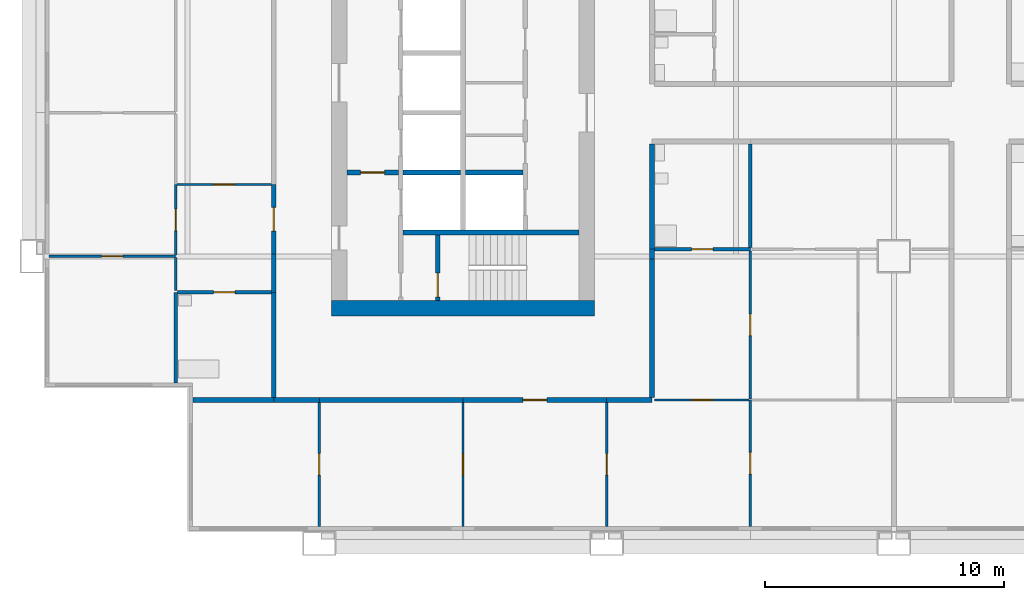
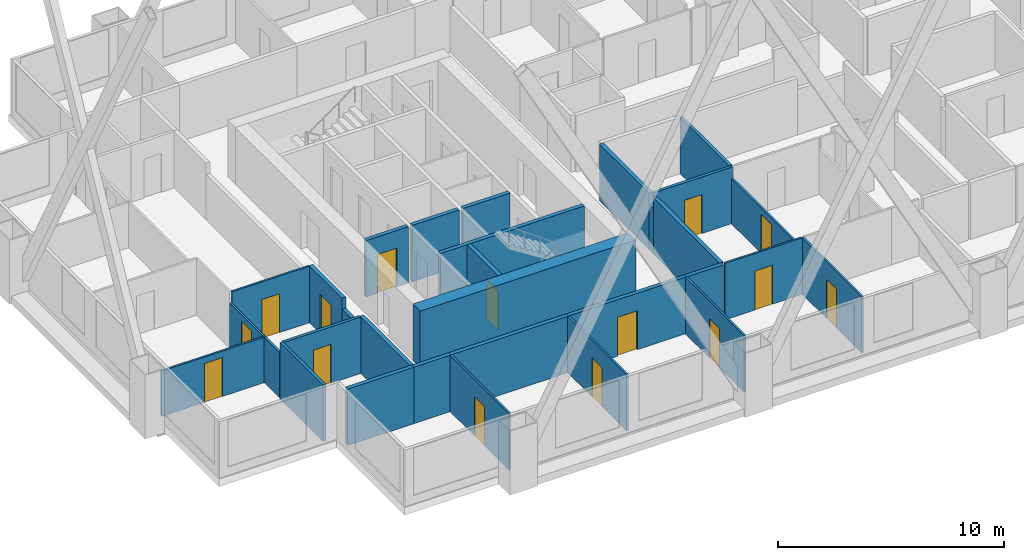
# One storey, part 2 of 11: 31 walls, 15 doors, 15 openings.
"""IFC4 building model written with IfcOpenShell, lengths in metres."""

from ifc_helpers import new_model, si_unit, direction, frame, frame_2d, origin, place, context, subcontext, project, spatial, rectangle, extrude, material, layer, layer_set, type_object, element, fill, save


model = new_model("IFC4")

# Units and contexts
model_context = context("Model", 3, precision=1e-05, world=origin(), true_north=direction((0.0, 1.0)))
body_context = subcontext(model_context, "Body", "Model", "MODEL_VIEW")
ifc_project = project(units=[si_unit("LENGTHUNIT", "METRE"), si_unit("AREAUNIT", "SQUARE_METRE"), si_unit("VOLUMEUNIT", "CUBIC_METRE"), si_unit("PLANEANGLEUNIT", "RADIAN"), si_unit("MASSUNIT", "GRAM", prefix="KILO")], contexts=[model_context])

# Site, building, storey
site_placement = place(None, origin())
site = spatial("IfcSite", under=ifc_project, at=site_placement, CompositionType="ELEMENT")
building_placement = place(site_placement, origin())
building = spatial("IfcBuilding", under=site, at=building_placement, Name="Kitamizu Gate Tower and Museum", CompositionType="ELEMENT")
storey_placement = place(building_placement, frame((0.0, 0.0, 131.10009765625)))
storey = spatial("IfcBuildingStorey", under=building, at=storey_placement, Name="L34", CompositionType="ELEMENT", Elevation=131.10009765625)

# Wall
ifc_material_1 = material(Name="Concrete Fc60", Category="concrete")
ifc_layer_1 = layer(ifc_material_1, 0.64990234375)
ifc_layer_set_1 = layer_set([ifc_layer_1], Name="Concrete Fc60")
wall_type_1 = type_object("IfcWallType", Name="Core wall 650", PredefinedType="SHEAR", material=ifc_layer_set_1)
wall_1_placement = place(storey_placement, frame((12.5, 21.824951171875, 0.0), z_axis=(0.0, 0.0, 1.0), x_axis=(1.0, 0.0, 0.0)))
element("IfcWall", 1, at=wall_1_placement, inside=storey, type_object=wall_type_1, Name="Core wall WS", PredefinedType="SHEAR", context=body_context, shape_type="SweptSolid", body=[
    extrude(rectangle(XDim=11.0, YDim=0.64990234375, at=frame_2d((5.5, 0.0))), origin(), (0.0, 0.0, 1.0), 3.0498046875),
])

# Wall, opening, door
ifc_material_2 = material(Name="Gypsum board on galvanised stud")
ifc_layer_2 = layer(ifc_material_2, 0.10009765625)
ifc_layer_set_2 = layer_set([ifc_layer_2], Name="Gypsum board on galvanised stud")
wall_type_2 = type_object("IfcWallType", Name="Partition 100 NOT RATED", PredefinedType="PARTITIONING", material=ifc_layer_set_2)
wall_2_placement = place(storey_placement, frame((12.0, 12.719970703125, 0.0), z_axis=(0.0, 0.0, 1.0), x_axis=(0.0, 1.0, 0.0)))
wall_2 = element("IfcWall", 2, at=wall_2_placement, inside=storey, type_object=wall_type_2, Name="Partition L34-001", PredefinedType="PARTITIONING", context=body_context, shape_type="SweptSolid", body=[
    extrude(rectangle(XDim=5.179931640625, YDim=0.10009765625, at=frame_2d((2.58984375, 0.0))), origin(), (0.0, 0.0, 1.0), 3.0498046875),
])
opening_1_placement = place(wall_2_placement, frame((2.139892578125, 0.0, 0.0)))
opening_1 = element("IfcOpeningElement", 3, at=opening_1_placement, cuts=wall_2, Name="Opening L34-007", PredefinedType="OPENING", context=body_context, shape_type="SweptSolid", body=[
    extrude(rectangle(XDim=0.89990234375, YDim=2.10009765625, at=frame_2d((0.449951171875, 1.050048828125))), frame((0.0, 0.06005859375, 0.0), z_axis=(0.0, -1.0, 0.0), x_axis=(1.0, 0.0, 0.0)), (0.0, 0.0, 1.0), 0.1201171875),
])
ifc_material_3 = material(Name="Timber door set", Category="wood")
door_type_1 = type_object("IfcDoorType", Name="Room door 900", OperationType="NOTDEFINED", PredefinedType="DOOR", material=ifc_material_3)
door_1_placement = place(opening_1_placement, origin())
door_1 = element("IfcDoor", 4, at=door_1_placement, inside=storey, type_object=door_type_1, Name="Door L34-007", OperationType="SINGLE_SWING_RIGHT", OverallHeight=2.10009765625, OverallWidth=0.89990234375, PredefinedType="DOOR", context=body_context, shape_type="SweptSolid", body=[
    extrude(rectangle(XDim=0.89990234375, YDim=2.10009765625, at=frame_2d((0.449951171875, 1.050048828125))), frame((0.0, 0.02490234375, 0.0), z_axis=(0.0, -1.0, 0.0), x_axis=(1.0, 0.0, 0.0)), (0.0, 0.0, 1.0), 0.050048828125),
])
fill(opening_1, door_1)

wall_3_placement = place(storey_placement, frame((18.0, 12.719970703125, 0.0), z_axis=(0.0, 0.0, 1.0), x_axis=(0.0, 1.0, 0.0)))
wall_3 = element("IfcWall", 5, at=wall_3_placement, inside=storey, type_object=wall_type_2, Name="Partition L34-004", PredefinedType="PARTITIONING", context=body_context, shape_type="SweptSolid", body=[
    extrude(rectangle(XDim=5.179931640625, YDim=0.10009765625, at=frame_2d((2.58984375, 0.0))), origin(), (0.0, 0.0, 1.0), 3.0498046875),
])
opening_2_placement = place(wall_3_placement, frame((2.139892578125, 0.0, 0.0)))
opening_2 = element("IfcOpeningElement", 6, at=opening_2_placement, cuts=wall_3, Name="Opening L34-003", PredefinedType="OPENING", context=body_context, shape_type="SweptSolid", body=[
    extrude(rectangle(XDim=0.89990234375, YDim=2.10009765625, at=frame_2d((0.449951171875, 1.050048828125))), frame((0.0, 0.06005859375, 0.0), z_axis=(0.0, -1.0, 0.0), x_axis=(1.0, 0.0, 0.0)), (0.0, 0.0, 1.0), 0.1201171875),
])
door_2_placement = place(opening_2_placement, origin())
door_2 = element("IfcDoor", 7, at=door_2_placement, inside=storey, type_object=door_type_1, Name="Door L34-003", OperationType="SINGLE_SWING_RIGHT", OverallHeight=2.10009765625, OverallWidth=0.89990234375, PredefinedType="DOOR", context=body_context, shape_type="SweptSolid", body=[
    extrude(rectangle(XDim=0.89990234375, YDim=2.10009765625, at=frame_2d((0.449951171875, 1.050048828125))), frame((0.0, 0.02490234375, 0.0), z_axis=(0.0, -1.0, 0.0), x_axis=(1.0, 0.0, 0.0)), (0.0, 0.0, 1.0), 0.050048828125),
])
fill(opening_2, door_2)

wall_4_placement = place(storey_placement, frame((24.0, 12.719970703125, 0.0), z_axis=(0.0, 0.0, 1.0), x_axis=(0.0, 1.0, 0.0)))
wall_4 = element("IfcWall", 8, at=wall_4_placement, inside=storey, type_object=wall_type_2, Name="Partition L34-006", PredefinedType="PARTITIONING", context=body_context, shape_type="SweptSolid", body=[
    extrude(rectangle(XDim=5.179931640625, YDim=0.10009765625, at=frame_2d((2.58984375, 0.0))), origin(), (0.0, 0.0, 1.0), 3.0498046875),
])
opening_3_placement = place(wall_4_placement, frame((2.139892578125, 0.0, 0.0)))
opening_3 = element("IfcOpeningElement", 9, at=opening_3_placement, cuts=wall_4, Name="Opening L34-002", PredefinedType="OPENING", context=body_context, shape_type="SweptSolid", body=[
    extrude(rectangle(XDim=0.89990234375, YDim=2.10009765625, at=frame_2d((0.449951171875, 1.050048828125))), frame((0.0, 0.06005859375, 0.0), z_axis=(0.0, -1.0, 0.0), x_axis=(1.0, 0.0, 0.0)), (0.0, 0.0, 1.0), 0.1201171875),
])
door_3_placement = place(opening_3_placement, frame((0.89990234375, 0.0, 0.0), x_axis=(-1.0, 0.0, 0.0)))
door_3 = element("IfcDoor", 10, at=door_3_placement, inside=storey, type_object=door_type_1, Name="Door L34-002", OperationType="SINGLE_SWING_RIGHT", OverallHeight=2.10009765625, OverallWidth=0.89990234375, PredefinedType="DOOR", context=body_context, shape_type="SweptSolid", body=[
    extrude(rectangle(XDim=0.89990234375, YDim=2.10009765625, at=frame_2d((0.449951171875, 1.050048828125))), frame((0.0, 0.02490234375, 0.0), z_axis=(0.0, -1.0, 0.0), x_axis=(1.0, 0.0, 0.0)), (0.0, 0.0, 1.0), 0.050048828125),
])
fill(opening_3, door_3)

wall_5_placement = place(storey_placement, frame((30.0, 12.719970703125, 0.0), z_axis=(0.0, 0.0, 1.0), x_axis=(0.0, 1.0, 0.0)))
wall_5 = element("IfcWall", 11, at=wall_5_placement, inside=storey, type_object=wall_type_2, Name="Partition L34-008", PredefinedType="PARTITIONING", context=body_context, shape_type="SweptSolid", body=[
    extrude(rectangle(XDim=5.280029296875, YDim=0.10009765625, at=frame_2d((2.64013671875, 0.0))), origin(), (0.0, 0.0, 1.0), 3.0498046875),
])
opening_4_placement = place(wall_5_placement, frame((2.18994140625, 0.0, 0.0)))
opening_4 = element("IfcOpeningElement", 12, at=opening_4_placement, cuts=wall_5, Name="Opening L34-004", PredefinedType="OPENING", context=body_context, shape_type="SweptSolid", body=[
    extrude(rectangle(XDim=0.89990234375, YDim=2.10009765625, at=frame_2d((0.449951171875, 1.050048828125))), frame((0.0, 0.06005859375, 0.0), z_axis=(0.0, -1.0, 0.0), x_axis=(1.0, 0.0, 0.0)), (0.0, 0.0, 1.0), 0.1201171875),
])
door_4_placement = place(opening_4_placement, origin())
door_4 = element("IfcDoor", 13, at=door_4_placement, inside=storey, type_object=door_type_1, Name="Door L34-004", OperationType="SINGLE_SWING_LEFT", OverallHeight=2.10009765625, OverallWidth=0.89990234375, PredefinedType="DOOR", context=body_context, shape_type="SweptSolid", body=[
    extrude(rectangle(XDim=0.89990234375, YDim=2.10009765625, at=frame_2d((0.449951171875, 1.050048828125))), frame((0.0, 0.02490234375, 0.0), z_axis=(0.0, -1.0, 0.0), x_axis=(1.0, 0.0, 0.0)), (0.0, 0.0, 1.0), 0.050048828125),
])
fill(opening_4, door_4)

wall_6_placement = place(storey_placement, frame((29.949951171875, 18.0, 0.0), z_axis=(0.0, 0.0, 1.0), x_axis=(-1.0, 0.0, 0.0)))
wall_6 = element("IfcWall", 14, at=wall_6_placement, inside=storey, type_object=wall_type_2, Name="Partition L34-009", PredefinedType="PARTITIONING", context=body_context, shape_type="SweptSolid", body=[
    extrude(rectangle(XDim=3.949951171875, YDim=0.10009765625, at=frame_2d((1.97509765625, 0.0))), origin(), (0.0, 0.0, 1.0), 3.0498046875),
])
opening_5_placement = place(wall_6_placement, frame((1.52490234375, 0.0, 0.0)))
opening_5 = element("IfcOpeningElement", 15, at=opening_5_placement, cuts=wall_6, Name="Opening L34-005", PredefinedType="OPENING", context=body_context, shape_type="SweptSolid", body=[
    extrude(rectangle(XDim=0.89990234375, YDim=2.10009765625, at=frame_2d((0.449951171875, 1.050048828125))), frame((0.0, 0.06005859375, 0.0), z_axis=(0.0, -1.0, 0.0), x_axis=(1.0, 0.0, 0.0)), (0.0, 0.0, 1.0), 0.1201171875),
])
door_5_placement = place(opening_5_placement, frame((0.89990234375, 0.0, 0.0), x_axis=(-1.0, 0.0, 0.0)))
door_5 = element("IfcDoor", 16, at=door_5_placement, inside=storey, type_object=door_type_1, Name="Door L34-005", OperationType="SINGLE_SWING_LEFT", OverallHeight=2.10009765625, OverallWidth=0.89990234375, PredefinedType="DOOR", context=body_context, shape_type="SweptSolid", body=[
    extrude(rectangle(XDim=0.89990234375, YDim=2.10009765625, at=frame_2d((0.449951171875, 1.050048828125))), frame((0.0, 0.02490234375, 0.0), z_axis=(0.0, -1.0, 0.0), x_axis=(1.0, 0.0, 0.0)), (0.0, 0.0, 1.0), 0.050048828125),
])
fill(opening_5, door_5)

wall_7_placement = place(storey_placement, frame((30.0, 18.050048828125, 0.0), z_axis=(0.0, 0.0, 1.0), x_axis=(0.0, 1.0, 0.0)))
wall_7 = element("IfcWall", 17, at=wall_7_placement, inside=storey, type_object=wall_type_2, Name="Partition L34-014", PredefinedType="PARTITIONING", context=body_context, shape_type="SweptSolid", body=[
    extrude(rectangle(XDim=6.175048828125, YDim=0.10009765625, at=frame_2d((3.08740234375, 0.0))), origin(), (0.0, 0.0, 1.0), 2.449951171875),
])
opening_6_placement = place(wall_7_placement, frame((2.637451171875, 0.0, 0.0)))
opening_6 = element("IfcOpeningElement", 18, at=opening_6_placement, cuts=wall_7, Name="Opening L34-008", PredefinedType="OPENING", context=body_context, shape_type="SweptSolid", body=[
    extrude(rectangle(XDim=0.89990234375, YDim=2.10009765625, at=frame_2d((0.449951171875, 1.050048828125))), frame((0.0, 0.06005859375, 0.0), z_axis=(0.0, -1.0, 0.0), x_axis=(1.0, 0.0, 0.0)), (0.0, 0.0, 1.0), 0.1201171875),
])
door_6_placement = place(opening_6_placement, origin())
door_6 = element("IfcDoor", 19, at=door_6_placement, inside=storey, type_object=door_type_1, Name="Door L34-008", OperationType="SINGLE_SWING_LEFT", OverallHeight=2.10009765625, OverallWidth=0.89990234375, PredefinedType="DOOR", context=body_context, shape_type="SweptSolid", body=[
    extrude(rectangle(XDim=0.89990234375, YDim=2.10009765625, at=frame_2d((0.449951171875, 1.050048828125))), frame((0.0, 0.02490234375, 0.0), z_axis=(0.0, -1.0, 0.0), x_axis=(1.0, 0.0, 0.0)), (0.0, 0.0, 1.0), 0.050048828125),
])
fill(opening_6, door_6)

wall_8_placement = place(storey_placement, frame((6.0, 24.0, 0.0), z_axis=(0.0, 0.0, 1.0), x_axis=(-1.0, 0.0, 0.0)))
wall_8 = element("IfcWall", 20, at=wall_8_placement, inside=storey, type_object=wall_type_2, Name="Partition L34-085", PredefinedType="PARTITIONING", context=body_context, shape_type="SweptSolid", body=[
    extrude(rectangle(XDim=5.280029296875, YDim=0.10009765625, at=frame_2d((2.64013671875, 0.0))), origin(), (0.0, 0.0, 1.0), 2.449951171875),
])
opening_7_placement = place(wall_8_placement, frame((2.18994140625, 0.0, 0.0)))
opening_7 = element("IfcOpeningElement", 21, at=opening_7_placement, cuts=wall_8, Name="Opening L34-034", PredefinedType="OPENING", context=body_context, shape_type="SweptSolid", body=[
    extrude(rectangle(XDim=0.89990234375, YDim=2.10009765625, at=frame_2d((0.449951171875, 1.050048828125))), frame((0.0, 0.06005859375, 0.0), z_axis=(0.0, -1.0, 0.0), x_axis=(1.0, 0.0, 0.0)), (0.0, 0.0, 1.0), 0.1201171875),
])
door_7_placement = place(opening_7_placement, origin())
door_7 = element("IfcDoor", 22, at=door_7_placement, inside=storey, type_object=door_type_1, Name="Door L34-034", OperationType="SINGLE_SWING_RIGHT", OverallHeight=2.10009765625, OverallWidth=0.89990234375, PredefinedType="DOOR", context=body_context, shape_type="SweptSolid", body=[
    extrude(rectangle(XDim=0.89990234375, YDim=2.10009765625, at=frame_2d((0.449951171875, 1.050048828125))), frame((0.0, 0.02490234375, 0.0), z_axis=(0.0, -1.0, 0.0), x_axis=(1.0, 0.0, 0.0)), (0.0, 0.0, 1.0), 0.050048828125),
])
fill(opening_7, door_7)

# Wall
wall_9_placement = place(storey_placement, frame((6.0, 22.574951171875, 0.0), z_axis=(0.0, 0.0, 1.0), x_axis=(0.0, 1.0, 0.0)))
element("IfcWall", 23, at=wall_9_placement, inside=storey, type_object=wall_type_2, Name="Partition L34-087", PredefinedType="PARTITIONING", context=body_context, shape_type="SweptSolid", body=[
    extrude(rectangle(XDim=1.375, YDim=0.10009765625, at=frame_2d((0.6875, 0.0))), origin(), (0.0, 0.0, 1.0), 2.449951171875),
])

# Wall, opening, door
wall_10_placement = place(storey_placement, frame((6.0, 24.050048828125, 0.0), z_axis=(0.0, 0.0, 1.0), x_axis=(0.0, 1.0, 0.0)))
wall_10 = element("IfcWall", 24, at=wall_10_placement, inside=storey, type_object=wall_type_2, Name="Partition L34-089", PredefinedType="PARTITIONING", context=body_context, shape_type="SweptSolid", body=[
    extrude(rectangle(XDim=2.949951171875, YDim=0.10009765625, at=frame_2d((1.47509765625, 0.0))), origin(), (0.0, 0.0, 1.0), 2.449951171875),
])
opening_8_placement = place(wall_10_placement, frame((1.02490234375, 0.0, 0.0)))
opening_8 = element("IfcOpeningElement", 25, at=opening_8_placement, cuts=wall_10, Name="Opening L34-030", PredefinedType="OPENING", context=body_context, shape_type="SweptSolid", body=[
    extrude(rectangle(XDim=0.89990234375, YDim=2.10009765625, at=frame_2d((0.449951171875, 1.050048828125))), frame((0.0, 0.06005859375, 0.0), z_axis=(0.0, -1.0, 0.0), x_axis=(1.0, 0.0, 0.0)), (0.0, 0.0, 1.0), 0.1201171875),
])
door_8_placement = place(opening_8_placement, origin())
door_8 = element("IfcDoor", 26, at=door_8_placement, inside=storey, type_object=door_type_1, Name="Door L34-030", OperationType="SINGLE_SWING_RIGHT", OverallHeight=2.10009765625, OverallWidth=0.89990234375, PredefinedType="DOOR", context=body_context, shape_type="SweptSolid", body=[
    extrude(rectangle(XDim=0.89990234375, YDim=2.10009765625, at=frame_2d((0.449951171875, 1.050048828125))), frame((0.0, 0.02490234375, 0.0), z_axis=(0.0, -1.0, 0.0), x_axis=(1.0, 0.0, 0.0)), (0.0, 0.0, 1.0), 0.050048828125),
])
fill(opening_8, door_8)

wall_11_placement = place(storey_placement, frame((10.0, 27.0, 0.0), z_axis=(0.0, 0.0, 1.0), x_axis=(-1.0, 0.0, 0.0)))
wall_11 = element("IfcWall", 27, at=wall_11_placement, inside=storey, type_object=wall_type_2, Name="Partition L34-097", PredefinedType="PARTITIONING", context=body_context, shape_type="SweptSolid", body=[
    extrude(rectangle(XDim=3.949951171875, YDim=0.10009765625, at=frame_2d((1.97509765625, 0.0))), origin(), (0.0, 0.0, 1.0), 3.0498046875),
])
opening_9_placement = place(wall_11_placement, frame((1.52490234375, 0.0, 0.0)))
opening_9 = element("IfcOpeningElement", 28, at=opening_9_placement, cuts=wall_11, Name="Opening L34-031", PredefinedType="OPENING", context=body_context, shape_type="SweptSolid", body=[
    extrude(rectangle(XDim=0.89990234375, YDim=2.10009765625, at=frame_2d((0.449951171875, 1.050048828125))), frame((0.0, 0.06005859375, 0.0), z_axis=(0.0, -1.0, 0.0), x_axis=(1.0, 0.0, 0.0)), (0.0, 0.0, 1.0), 0.1201171875),
])
door_9_placement = place(opening_9_placement, origin())
door_9 = element("IfcDoor", 29, at=door_9_placement, inside=storey, type_object=door_type_1, Name="Door L34-031", OperationType="SINGLE_SWING_RIGHT", OverallHeight=2.10009765625, OverallWidth=0.89990234375, PredefinedType="DOOR", context=body_context, shape_type="SweptSolid", body=[
    extrude(rectangle(XDim=0.89990234375, YDim=2.10009765625, at=frame_2d((0.449951171875, 1.050048828125))), frame((0.0, 0.02490234375, 0.0), z_axis=(0.0, -1.0, 0.0), x_axis=(1.0, 0.0, 0.0)), (0.0, 0.0, 1.0), 0.050048828125),
])
fill(opening_9, door_9)

ifc_material_4 = material(Name="Gypsum board on galvanised stud")
ifc_layer_3 = layer(ifc_material_4, 0.14990234375)
ifc_layer_set_3 = layer_set([ifc_layer_3], Name="Gypsum board on galvanised stud")
wall_type_3 = type_object("IfcWallType", Name="Partition 150", PredefinedType="PARTITIONING", material=ifc_layer_set_3)
wall_12_placement = place(storey_placement, frame((30.0, 24.300048828125, 0.0), z_axis=(0.0, 0.0, 1.0), x_axis=(-1.0, 0.0, 0.0)))
wall_12 = element("IfcWall", 30, at=wall_12_placement, inside=storey, type_object=wall_type_3, Name="Partition L34-015", PredefinedType="PARTITIONING", context=body_context, shape_type="SweptSolid", body=[
    extrude(rectangle(XDim=4.0, YDim=0.14990234375, at=frame_2d((2.0, 0.0))), origin(), (0.0, 0.0, 1.0), 3.0498046875),
])
opening_10_placement = place(wall_12_placement, frame((1.550048828125, 0.0, 0.0)))
opening_10 = element("IfcOpeningElement", 31, at=opening_10_placement, cuts=wall_12, Name="Opening L34-006", PredefinedType="OPENING", context=body_context, shape_type="SweptSolid", body=[
    extrude(rectangle(XDim=0.89990234375, YDim=2.10009765625, at=frame_2d((0.449951171875, 1.050048828125))), frame((0.0, 0.0849609375, 0.0), z_axis=(0.0, -1.0, 0.0), x_axis=(1.0, 0.0, 0.0)), (0.0, 0.0, 1.0), 0.169921875),
])
ifc_material_5 = material(Name="Timber door set", Category="wood")
door_type_2 = type_object("IfcDoorType", Name="Bathroom door 900", OperationType="NOTDEFINED", PredefinedType="DOOR", material=ifc_material_5)
door_10_placement = place(opening_10_placement, frame((0.89990234375, 0.0, 0.0), x_axis=(-1.0, 0.0, 0.0)))
door_10 = element("IfcDoor", 32, at=door_10_placement, inside=storey, type_object=door_type_2, Name="Bathroom door L34-006", OperationType="SINGLE_SWING_RIGHT", OverallHeight=2.10009765625, OverallWidth=0.89990234375, PredefinedType="DOOR", context=body_context, shape_type="SweptSolid", body=[
    extrude(rectangle(XDim=0.89990234375, YDim=2.10009765625, at=frame_2d((0.449951171875, 1.050048828125))), frame((0.0, 0.02490234375, 0.0), z_axis=(0.0, -1.0, 0.0), x_axis=(1.0, 0.0, 0.0)), (0.0, 0.0, 1.0), 0.050048828125),
])
fill(opening_10, door_10)

# Walls
wall_13_placement = place(storey_placement, frame((30.0, 24.375, 0.0), z_axis=(0.0, 0.0, 1.0), x_axis=(0.0, 1.0, 0.0)))
element("IfcWall", 33, at=wall_13_placement, inside=storey, type_object=wall_type_3, Name="Partition L34-024", PredefinedType="PARTITIONING", context=body_context, shape_type="SweptSolid", body=[
    extrude(rectangle(XDim=4.324951171875, YDim=0.14990234375, at=frame_2d((2.16259765625, 0.0))), origin(), (0.0, 0.0, 1.0), 3.0498046875),
])
wall_14_placement = place(storey_placement, frame((6.0, 18.719970703125, 0.0), z_axis=(0.0, 0.0, 1.0), x_axis=(0.0, 1.0, 0.0)))
element("IfcWall", 34, at=wall_14_placement, inside=storey, type_object=wall_type_3, Name="Partition L34-086", PredefinedType="PARTITIONING", context=body_context, shape_type="SweptSolid", body=[
    extrude(rectangle(XDim=3.780029296875, YDim=0.14990234375, at=frame_2d((1.89013671875, 0.0))), origin(), (0.0, 0.0, 1.0), 3.0498046875),
])

# Wall, opening, door
wall_15_placement = place(storey_placement, frame((10.0, 22.5, 0.0), z_axis=(0.0, 0.0, 1.0), x_axis=(-1.0, 0.0, 0.0)))
wall_15 = element("IfcWall", 35, at=wall_15_placement, inside=storey, type_object=wall_type_3, Name="Partition L34-095", PredefinedType="PARTITIONING", context=body_context, shape_type="SweptSolid", body=[
    extrude(rectangle(XDim=3.925048828125, YDim=0.14990234375, at=frame_2d((1.96240234375, 0.0))), origin(), (0.0, 0.0, 1.0), 3.0498046875),
])
opening_11_placement = place(wall_15_placement, frame((1.512451171875, 0.0, 0.0)))
opening_11 = element("IfcOpeningElement", 36, at=opening_11_placement, cuts=wall_15, Name="Opening L34-035", PredefinedType="OPENING", context=body_context, shape_type="SweptSolid", body=[
    extrude(rectangle(XDim=0.89990234375, YDim=2.10009765625, at=frame_2d((0.449951171875, 1.050048828125))), frame((0.0, 0.0849609375, 0.0), z_axis=(0.0, -1.0, 0.0), x_axis=(1.0, 0.0, 0.0)), (0.0, 0.0, 1.0), 0.169921875),
])
door_11_placement = place(opening_11_placement, origin())
door_11 = element("IfcDoor", 37, at=door_11_placement, inside=storey, type_object=door_type_2, Name="Bathroom door L34-035", OperationType="SINGLE_SWING_LEFT", OverallHeight=2.10009765625, OverallWidth=0.89990234375, PredefinedType="DOOR", context=body_context, shape_type="SweptSolid", body=[
    extrude(rectangle(XDim=0.89990234375, YDim=2.10009765625, at=frame_2d((0.449951171875, 1.050048828125))), frame((0.0, 0.02490234375, 0.0), z_axis=(0.0, -1.0, 0.0), x_axis=(1.0, 0.0, 0.0)), (0.0, 0.0, 1.0), 0.050048828125),
])
fill(opening_11, door_11)

# Walls
ifc_material_6 = material(Name="Gypsum board on galvanised stud")
ifc_layer_4 = layer(ifc_material_6, 0.199951171875)
ifc_layer_set_4 = layer_set([ifc_layer_4], Name="Gypsum board on galvanised stud")
wall_type_4 = type_object("IfcWallType", Name="Partition 200", PredefinedType="PARTITIONING", material=ifc_layer_set_4)
wall_16_placement = place(storey_placement, frame((10.10009765625, 18.0, 0.0), z_axis=(0.0, 0.0, 1.0), x_axis=(-1.0, 0.0, 0.0)))
element("IfcWall", 38, at=wall_16_placement, inside=storey, type_object=wall_type_4, Name="Partition L34-002", PredefinedType="PARTITIONING", context=body_context, shape_type="SweptSolid", body=[
    extrude(rectangle(XDim=3.380126953125, YDim=0.199951171875, at=frame_2d((1.68994140625, 0.0))), origin(), (0.0, 0.0, 1.0), 3.0498046875),
])
wall_17_placement = place(storey_placement, frame((12.0, 18.0, 0.0), z_axis=(0.0, 0.0, 1.0), x_axis=(-1.0, 0.0, 0.0)))
element("IfcWall", 39, at=wall_17_placement, inside=storey, type_object=wall_type_4, Name="Partition L34-003", PredefinedType="PARTITIONING", context=body_context, shape_type="SweptSolid", body=[
    extrude(rectangle(XDim=1.89990234375, YDim=0.199951171875, at=frame_2d((0.949951171875, 0.0))), origin(), (0.0, 0.0, 1.0), 3.0498046875),
])
wall_18_placement = place(storey_placement, frame((18.0, 18.0, 0.0), z_axis=(0.0, 0.0, 1.0), x_axis=(-1.0, 0.0, 0.0)))
element("IfcWall", 40, at=wall_18_placement, inside=storey, type_object=wall_type_4, Name="Partition L34-005", PredefinedType="PARTITIONING", context=body_context, shape_type="SweptSolid", body=[
    extrude(rectangle(XDim=6.0, YDim=0.199951171875, at=frame_2d((3.0, 0.0))), origin(), (0.0, 0.0, 1.0), 3.0498046875),
])

# Wall, opening, door
wall_19_placement = place(storey_placement, frame((24.0, 18.0, 0.0), z_axis=(0.0, 0.0, 1.0), x_axis=(-1.0, 0.0, 0.0)))
wall_19 = element("IfcWall", 41, at=wall_19_placement, inside=storey, type_object=wall_type_4, Name="Partition L34-007", PredefinedType="PARTITIONING", context=body_context, shape_type="SweptSolid", body=[
    extrude(rectangle(XDim=6.0, YDim=0.199951171875, at=frame_2d((3.0, 0.0))), origin(), (0.0, 0.0, 1.0), 3.0498046875),
])
opening_12_placement = place(wall_19_placement, frame((2.5, 0.0, 0.0)))
opening_12 = element("IfcOpeningElement", 42, at=opening_12_placement, cuts=wall_19, Name="Opening L34-001", PredefinedType="OPENING", context=body_context, shape_type="SweptSolid", body=[
    extrude(rectangle(XDim=1.0, YDim=2.10009765625, at=frame_2d((0.5, 1.050048828125))), frame((0.0, 0.10986328125, 0.0), z_axis=(0.0, -1.0, 0.0), x_axis=(1.0, 0.0, 0.0)), (0.0, 0.0, 1.0), 0.219970703125),
])
ifc_material_7 = material(Name="Timber door set", Category="wood")
door_type_3 = type_object("IfcDoorType", Name="Flat entrance door 1000", OperationType="NOTDEFINED", PredefinedType="DOOR", material=ifc_material_7)
door_12_placement = place(opening_12_placement, origin())
door_12 = element("IfcDoor", 43, at=door_12_placement, inside=storey, type_object=door_type_3, Name="Flat entrance door L34-001", OperationType="SINGLE_SWING_RIGHT", OverallHeight=2.10009765625, OverallWidth=1.0, PredefinedType="DOOR", context=body_context, shape_type="SweptSolid", body=[
    extrude(rectangle(XDim=1.0, YDim=2.10009765625, at=frame_2d((0.5, 1.050048828125))), frame((0.0, 0.02490234375, 0.0), z_axis=(0.0, -1.0, 0.0), x_axis=(1.0, 0.0, 0.0)), (0.0, 0.0, 1.0), 0.050048828125),
])
fill(opening_12, door_12)

# Walls
wall_20_placement = place(storey_placement, frame((25.89990234375, 18.0, 0.0), z_axis=(0.0, 0.0, 1.0), x_axis=(-1.0, 0.0, 0.0)))
element("IfcWall", 44, at=wall_20_placement, inside=storey, type_object=wall_type_4, Name="Partition L34-010", PredefinedType="PARTITIONING", context=body_context, shape_type="SweptSolid", body=[
    extrude(rectangle(XDim=1.89990234375, YDim=0.199951171875, at=frame_2d((0.949951171875, 0.0))), origin(), (0.0, 0.0, 1.0), 3.0498046875),
])
wall_21_placement = place(storey_placement, frame((25.89990234375, 24.300048828125, 0.0), z_axis=(0.0, 0.0, 1.0), x_axis=(0.0, -1.0, 0.0)))
element("IfcWall", 45, at=wall_21_placement, inside=storey, type_object=wall_type_4, Name="Partition L34-016", PredefinedType="PARTITIONING", context=body_context, shape_type="SweptSolid", body=[
    extrude(rectangle(XDim=0.400146484375, YDim=0.199951171875, at=frame_2d((0.2001953125, 0.0))), origin(), (0.0, 0.0, 1.0), 2.449951171875),
])
wall_22_placement = place(storey_placement, frame((25.89990234375, 23.89990234375, 0.0), z_axis=(0.0, 0.0, 1.0), x_axis=(0.0, -1.0, 0.0)))
element("IfcWall", 46, at=wall_22_placement, inside=storey, type_object=wall_type_4, Name="Partition L34-017", PredefinedType="PARTITIONING", context=body_context, shape_type="SweptSolid", body=[
    extrude(rectangle(XDim=5.7998046875, YDim=0.199951171875, at=frame_2d((2.89990234375, 0.0))), origin(), (0.0, 0.0, 1.0), 3.0498046875),
])
for number, where, z_axis, x_axis, name in (
    (47, (25.89990234375, 28.699951171875, 0.0), (0.0, 0.0, 1.0), (0.0, -1.0, 0.0), "Partition L34-026"),
    (48, (10.10009765625, 18.10009765625, 0.0), (0.0, 0.0, 1.0), (0.0, 1.0, 0.0), "Partition L34-096"),
):
    element("IfcWall", number, at=place(storey_placement, frame(where, z_axis=z_axis, x_axis=x_axis)), inside=storey, type_object=wall_type_4, Name=name, PredefinedType="PARTITIONING", context=body_context, shape_type="SweptSolid", body=[
        extrude(rectangle(XDim=4.39990234375, YDim=0.199951171875, at=frame_2d((2.199951171875, 0.0))), origin(), (0.0, 0.0, 1.0), 3.0498046875),
    ])
wall_23_placement = place(storey_placement, frame((10.10009765625, 22.5, 0.0), z_axis=(0.0, 0.0, 1.0), x_axis=(0.0, 1.0, 0.0)))
element("IfcWall", 49, at=wall_23_placement, inside=storey, type_object=wall_type_4, Name="Partition L34-098", PredefinedType="PARTITIONING", context=body_context, shape_type="SweptSolid", body=[
    extrude(rectangle(XDim=1.60009765625, YDim=0.199951171875, at=frame_2d((0.800048828125, 0.0))), origin(), (0.0, 0.0, 1.0), 2.449951171875),
])

# Wall, opening, door
wall_24_placement = place(storey_placement, frame((10.10009765625, 24.10009765625, 0.0), z_axis=(0.0, 0.0, 1.0), x_axis=(0.0, 1.0, 0.0)))
wall_24 = element("IfcWall", 50, at=wall_24_placement, inside=storey, type_object=wall_type_4, Name="Partition L34-099", PredefinedType="PARTITIONING", context=body_context, shape_type="SweptSolid", body=[
    extrude(rectangle(XDim=2.89990234375, YDim=0.199951171875, at=frame_2d((1.449951171875, 0.0))), origin(), (0.0, 0.0, 1.0), 3.0498046875),
])
opening_13_placement = place(wall_24_placement, frame((0.949951171875, 0.0, 0.0)))
opening_13 = element("IfcOpeningElement", 51, at=opening_13_placement, cuts=wall_24, Name="Opening L34-029", PredefinedType="OPENING", context=body_context, shape_type="SweptSolid", body=[
    extrude(rectangle(XDim=1.0, YDim=2.10009765625, at=frame_2d((0.5, 1.050048828125))), frame((0.0, 0.10986328125, 0.0), z_axis=(0.0, -1.0, 0.0), x_axis=(1.0, 0.0, 0.0)), (0.0, 0.0, 1.0), 0.219970703125),
])
door_13_placement = place(opening_13_placement, origin())
door_13 = element("IfcDoor", 52, at=door_13_placement, inside=storey, type_object=door_type_3, Name="Flat entrance door L34-029", OperationType="SINGLE_SWING_LEFT", OverallHeight=2.10009765625, OverallWidth=1.0, PredefinedType="DOOR", context=body_context, shape_type="SweptSolid", body=[
    extrude(rectangle(XDim=1.0, YDim=2.10009765625, at=frame_2d((0.5, 1.050048828125))), frame((0.0, 0.02490234375, 0.0), z_axis=(0.0, -1.0, 0.0), x_axis=(1.0, 0.0, 0.0)), (0.0, 0.0, 1.0), 0.050048828125),
])
fill(opening_13, door_13)

# Wall
ifc_material_8 = material(Name="Concrete Fc42", Category="concrete")
ifc_layer_5 = layer(ifc_material_8, 0.199951171875)
ifc_layer_set_5 = layer_set([ifc_layer_5], Name="Concrete Fc42")
wall_type_5 = type_object("IfcWallType", Name="Shaft wall 200", PredefinedType="SOLIDWALL", material=ifc_layer_set_5)
wall_25_placement = place(storey_placement, frame((15.5, 25.0, 0.0), z_axis=(0.0, 0.0, 1.0), x_axis=(1.0, 0.0, 0.0)))
element("IfcWall", 53, at=wall_25_placement, inside=storey, type_object=wall_type_5, Name="Shaft wall WSB", PredefinedType="SOLIDWALL", context=body_context, shape_type="SweptSolid", body=[
    extrude(rectangle(XDim=7.35009765625, YDim=0.199951171875, at=frame_2d((3.675048828125, 0.0))), origin(), (0.0, 0.0, 1.0), 3.0498046875),
])

# Wall, opening, door
wall_26_placement = place(storey_placement, frame((13.14990234375, 27.5, 0.0), z_axis=(0.0, 0.0, 1.0), x_axis=(1.0, 0.0, 0.0)))
wall_26 = element("IfcWall", 54, at=wall_26_placement, inside=storey, type_object=wall_type_5, Name="Shaft wall WFFN", PredefinedType="SOLIDWALL", context=body_context, shape_type="SweptSolid", body=[
    extrude(rectangle(XDim=2.150146484375, YDim=0.199951171875, at=frame_2d((1.0751953125, 0.0))), origin(), (0.0, 0.0, 1.0), 3.0498046875),
])
opening_14_placement = place(wall_26_placement, frame((0.574951171875, 0.0, 0.0)))
opening_14 = element("IfcOpeningElement", 55, at=opening_14_placement, cuts=wall_26, Name="Opening L34-056", PredefinedType="OPENING", context=body_context, shape_type="SweptSolid", body=[
    extrude(rectangle(XDim=1.0, YDim=2.10009765625, at=frame_2d((0.5, 1.050048828125))), frame((0.0, 0.10986328125, 0.0), z_axis=(0.0, -1.0, 0.0), x_axis=(1.0, 0.0, 0.0)), (0.0, 0.0, 1.0), 0.219970703125),
])
ifc_material_9 = material(Name="Hollow metal door set")
door_type_4 = type_object("IfcDoorType", Name="Fire door 1000", OperationType="NOTDEFINED", PredefinedType="DOOR", material=ifc_material_9)
door_14_placement = place(opening_14_placement, frame((1.0, 0.0, 0.0), x_axis=(-1.0, 0.0, 0.0)))
door_14 = element("IfcDoor", 56, at=door_14_placement, inside=storey, type_object=door_type_4, Name="Fire-fighting lobby door L34-056", OperationType="SINGLE_SWING_LEFT", OverallHeight=2.10009765625, OverallWidth=1.0, PredefinedType="DOOR", context=body_context, shape_type="SweptSolid", body=[
    extrude(rectangle(XDim=1.0, YDim=2.10009765625, at=frame_2d((0.5, 1.050048828125))), frame((0.0, 0.02490234375, 0.0), z_axis=(0.0, -1.0, 0.0), x_axis=(1.0, 0.0, 0.0)), (0.0, 0.0, 1.0), 0.050048828125),
])
fill(opening_14, door_14)

wall_27_placement = place(storey_placement, frame((16.949951171875, 22.14990234375, 0.0), z_axis=(0.0, 0.0, 1.0), x_axis=(0.0, 1.0, 0.0)))
wall_27 = element("IfcWall", 57, at=wall_27_placement, inside=storey, type_object=wall_type_5, Name="Shaft wall WSZ", PredefinedType="SOLIDWALL", context=body_context, shape_type="SweptSolid", body=[
    extrude(rectangle(XDim=2.75, YDim=0.199951171875, at=frame_2d((1.375, 0.0))), origin(), (0.0, 0.0, 1.0), 3.0498046875),
])
opening_15_placement = place(wall_27_placement, frame((0.14990234375, 0.0, 0.0)))
opening_15 = element("IfcOpeningElement", 58, at=opening_15_placement, cuts=wall_27, Name="Opening L34-052", PredefinedType="OPENING", context=body_context, shape_type="SweptSolid", body=[
    extrude(rectangle(XDim=1.0, YDim=2.10009765625, at=frame_2d((0.5, 1.050048828125))), frame((0.0, 0.10986328125, 0.0), z_axis=(0.0, -1.0, 0.0), x_axis=(1.0, 0.0, 0.0)), (0.0, 0.0, 1.0), 0.219970703125),
])
door_15_placement = place(opening_15_placement, frame((1.0, 0.0, 0.0), x_axis=(-1.0, 0.0, 0.0)))
door_15 = element("IfcDoor", 59, at=door_15_placement, inside=storey, type_object=door_type_4, Name="Stair door L34-052", OperationType="SINGLE_SWING_LEFT", OverallHeight=2.10009765625, OverallWidth=1.0, PredefinedType="DOOR", context=body_context, shape_type="SweptSolid", body=[
    extrude(rectangle(XDim=1.0, YDim=2.10009765625, at=frame_2d((0.5, 1.050048828125))), frame((0.0, 0.02490234375, 0.0), z_axis=(0.0, -1.0, 0.0), x_axis=(1.0, 0.0, 0.0)), (0.0, 0.0, 1.0), 0.050048828125),
])
fill(opening_15, door_15)

# Walls
for number, where, z_axis, x_axis, name in (
    (60, (15.5, 27.5, 0.0), (0.0, 0.0, 1.0), (1.0, 0.0, 0.0), "Shaft wall WDVW0"),
    (61, (18.10009765625, 27.5, 0.0), (0.0, 0.0, 1.0), (1.0, 0.0, 0.0), "Shaft wall WDVE0"),
):
    element("IfcWall", number, at=place(storey_placement, frame(where, z_axis=z_axis, x_axis=x_axis)), inside=storey, type_object=wall_type_5, Name=name, PredefinedType="SOLIDWALL", context=body_context, shape_type="SweptSolid", body=[
        extrude(rectangle(XDim=2.39990234375, YDim=0.199951171875, at=frame_2d((1.199951171875, 0.0))), origin(), (0.0, 0.0, 1.0), 3.0498046875),
    ])

save(model, "model.ifc")
